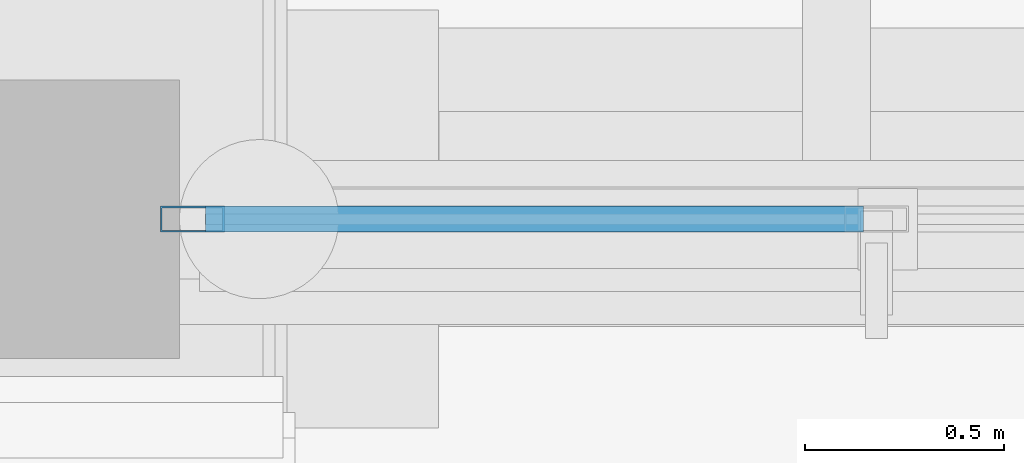
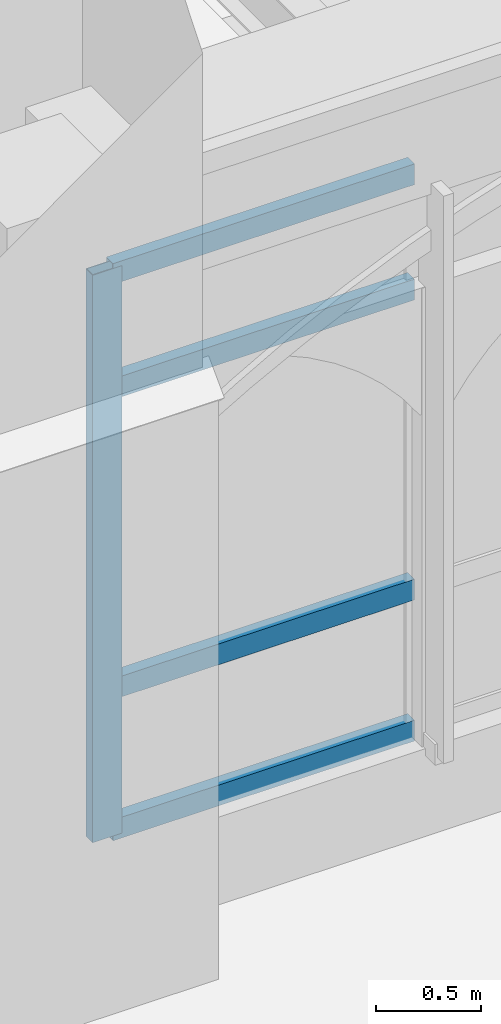
# One storey, part 16 of 135: 5 members, 1 element without a shape of its own.
"""IFC4 building model written with IfcOpenShell, lengths in metres."""

from ifc_helpers import new_model, si_unit, direction, frame, origin, origin_2d, place, context, subcontext, project, spatial, hollow_rectangle, extrude, material, layer, layer_set, material_profile, profile_set, type_object, element, aggregate, save


model = new_model("IFC4")

# Units and contexts
model_context = context("Model", 3, precision=1e-05, world=origin(), true_north=direction((0.0, 1.0)))
body_context = subcontext(model_context, "Body", "Model", "MODEL_VIEW")
ifc_project = project(units=[si_unit("LENGTHUNIT", "METRE"), si_unit("AREAUNIT", "SQUARE_METRE"), si_unit("VOLUMEUNIT", "CUBIC_METRE"), si_unit("PLANEANGLEUNIT", "RADIAN"), si_unit("MASSUNIT", "GRAM", prefix="KILO")], contexts=[model_context])

# Site, building, storey
site_placement = place(None, origin())
site = spatial("IfcSite", under=ifc_project, at=site_placement, CompositionType="ELEMENT")
building_placement = place(site_placement, origin())
building = spatial("IfcBuilding", under=site, at=building_placement, Name="Cumevento Cable Car Station", CompositionType="ELEMENT")
storey_placement = place(building_placement, origin())
storey = spatial("IfcBuildingStorey", under=building, at=storey_placement, Name="L01", CompositionType="ELEMENT", Elevation=0.0)

# Curtain wall, members
ifc_material_1 = material(Name="Anodised Bronze Aluminium AW-6063-T6", Category="aluminium")
ifc_layer = layer(ifc_material_1, 0.25)
ifc_layer_set = layer_set([ifc_layer], Name="Anodised Bronze Aluminium AW-6063-T6")
curtain_wall_type = type_object("IfcCurtainWallType", Name="Lancet Curtain Wall CW-16 1650", PredefinedType="NOTDEFINED", material=ifc_layer_set)
curtain_wall_placement = place(storey_placement, origin())
curtain_wall = element("IfcCurtainWall", 1, at=curtain_wall_placement, inside=storey, type_object=curtain_wall_type, Name="Lancet Curtain Wall CW-16 L01 #15", PredefinedType="NOTDEFINED")
ifc_material_2 = material(Name="Anodised Bronze Aluminium AW-6063-T6", Category="aluminium")
ifc_material_profile_1 = material_profile(ifc_material_2, hollow_rectangle(XDim=0.06494140625, YDim=0.159912109375, WallThickness=0.00390625, at=origin_2d()), Name="ALUM65x160x4")
ifc_profile_set_1 = profile_set([ifc_material_profile_1], Name="Anodised Bronze Aluminium AW-6063-T6")
member_type_1 = type_object("IfcMemberType", Name="Curtain Mullion CWM-01 ALUM65x160x4", PredefinedType="MULLION", material=ifc_profile_set_1)
member_1_placement = place(storey_placement, frame((16.382568359375, 15.0, 0.52001953125), z_axis=(0.0, 0.0, 1.0), x_axis=(0.0, -1.0, 0.0)))
member_1 = element("IfcMember", 2, at=member_1_placement, type_object=member_type_1, Name="CW-16 mullion 4", PredefinedType="MULLION", context=body_context, shape_type="SweptSolid", body=[
    extrude(hollow_rectangle(XDim=0.06494140625, YDim=0.159912109375, WallThickness=0.00390625, at=origin_2d()), origin(), (0.0, 0.0, 1.0), 3.2890625),
])
ifc_material_3 = material(Name="Anodised Bronze Aluminium AW-6063-T6", Category="aluminium")
ifc_material_profile_2 = material_profile(ifc_material_3, hollow_rectangle(XDim=0.06494140625, YDim=0.1201171875, WallThickness=0.00390625, at=origin_2d()), Name="ALUT65x120x4")
ifc_profile_set_2 = profile_set([ifc_material_profile_2], Name="Anodised Bronze Aluminium AW-6063-T6")
member_type_2 = type_object("IfcMemberType", Name="Curtain Transom CWT-01 ALUT65x120x4", PredefinedType="USERDEFINED", material=ifc_profile_set_2)
member_2_placement = place(storey_placement, frame((18.0673828125, 15.0, 0.552490234375), z_axis=(-1.0, 0.0, 0.0), x_axis=(0.0, -1.0, 0.0)))
member_2 = element("IfcMember", 3, at=member_2_placement, type_object=member_type_2, Name="CW-16 transom 3.1", ObjectType="TRANSOM", PredefinedType="USERDEFINED", context=body_context, shape_type="SweptSolid", body=[
    extrude(hollow_rectangle(XDim=0.06494140625, YDim=0.1201171875, WallThickness=0.00390625, at=origin_2d()), origin(), (0.0, 0.0, 1.0), 1.65234375),
])
member_3_placement = place(storey_placement, frame((18.0673828125, 15.0, 1.3701171875), z_axis=(-1.0, 0.0, 0.0), x_axis=(0.0, -1.0, 0.0)))
member_3 = element("IfcMember", 4, at=member_3_placement, type_object=member_type_2, Name="CW-16 transom 3.2", ObjectType="TRANSOM", PredefinedType="USERDEFINED", context=body_context, shape_type="SweptSolid", body=[
    extrude(hollow_rectangle(XDim=0.06494140625, YDim=0.1201171875, WallThickness=0.00390625, at=origin_2d()), origin(), (0.0, 0.0, 1.0), 1.65234375),
])
member_4_placement = place(storey_placement, frame((18.0673828125, 15.0, 3.10888671875), z_axis=(-1.0, 0.0, 0.0), x_axis=(0.0, -1.0, 0.0)))
member_4 = element("IfcMember", 5, at=member_4_placement, type_object=member_type_2, Name="CW-16 transom 3.3", ObjectType="TRANSOM", PredefinedType="USERDEFINED", context=body_context, shape_type="SweptSolid", body=[
    extrude(hollow_rectangle(XDim=0.06494140625, YDim=0.1201171875, WallThickness=0.00390625, at=origin_2d()), origin(), (0.0, 0.0, 1.0), 1.65234375),
])
member_5_placement = place(storey_placement, frame((18.0673828125, 15.0, 3.776611328125), z_axis=(-1.0, 0.0, 0.0), x_axis=(0.0, -1.0, 0.0)))
member_5 = element("IfcMember", 6, at=member_5_placement, type_object=member_type_2, Name="CW-16 transom 3.4", ObjectType="TRANSOM", PredefinedType="USERDEFINED", context=body_context, shape_type="SweptSolid", body=[
    extrude(hollow_rectangle(XDim=0.06494140625, YDim=0.1201171875, WallThickness=0.00390625, at=origin_2d()), origin(), (0.0, 0.0, 1.0), 1.65234375),
])
aggregate(curtain_wall, [member_1, member_2, member_3, member_4, member_5])

save(model, "model.ifc")
